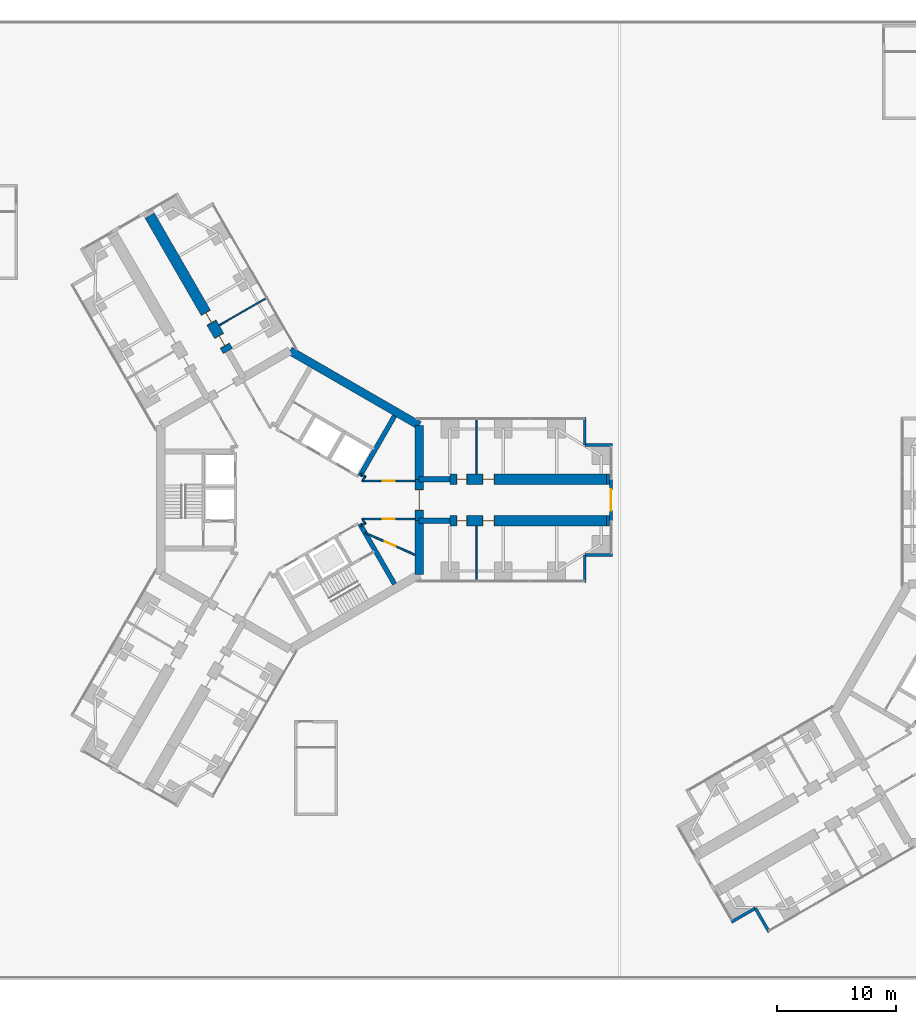
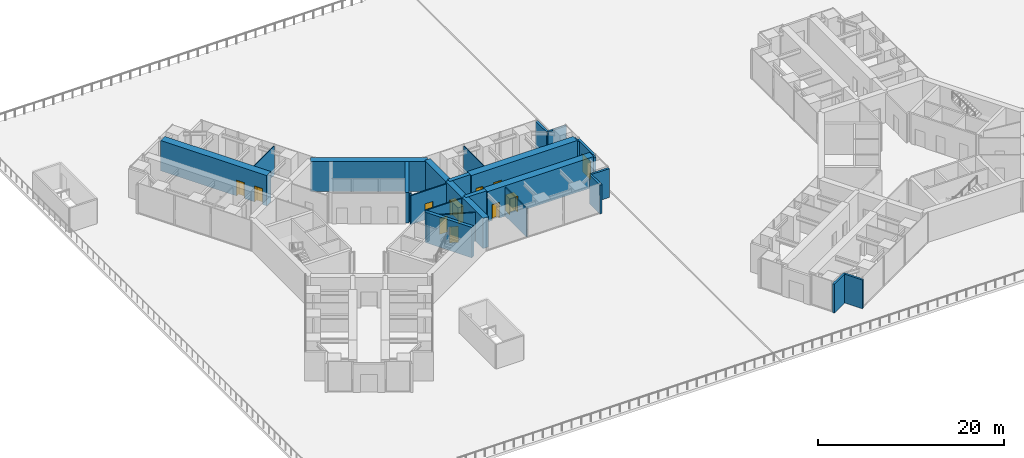
# One storey, part 15 of 23: 30 walls, 11 doors, 11 openings.
"""IFC4 building model written with IfcOpenShell, lengths in metres."""

from ifc_helpers import new_model, si_unit, direction, frame, frame_2d, origin, place, context, subcontext, project, spatial, rectangle, extrude, material, layer, layer_set, type_object, element, fill, save


model = new_model("IFC4")

# Units and contexts
model_context = context("Model", 3, precision=1e-05, world=origin(), true_north=direction((0.0, 1.0)))
body_context = subcontext(model_context, "Body", "Model", "MODEL_VIEW")
ifc_project = project(units=[si_unit("LENGTHUNIT", "METRE"), si_unit("AREAUNIT", "SQUARE_METRE"), si_unit("VOLUMEUNIT", "CUBIC_METRE"), si_unit("PLANEANGLEUNIT", "RADIAN"), si_unit("MASSUNIT", "GRAM", prefix="KILO")], contexts=[model_context])

# Site, building, storey
site_placement = place(None, origin())
site = spatial("IfcSite", under=ifc_project, at=site_placement, CompositionType="ELEMENT")
building_placement = place(site_placement, origin())
building = spatial("IfcBuilding", under=site, at=building_placement, Name="Upepo Twin Towers", CompositionType="ELEMENT")
storey_placement = place(building_placement, frame((0.0, 0.0, 20.5)))
storey = spatial("IfcBuildingStorey", under=building, at=storey_placement, Name="L04", CompositionType="ELEMENT", Elevation=20.5)

# Walls
ifc_material_1 = material(Name="Dense concrete blockwork", Category="masonry")
ifc_layer_1 = layer(ifc_material_1, 0.89990234375)
ifc_layer_set_1 = layer_set([ifc_layer_1], Name="Buttress closer 900, blockwork with fire-stopping to the curtain wall")
wall_type_1 = type_object("IfcWallType", Name="Buttress closer 900, blockwork with fire-stopping to the curtain wall", PredefinedType="PARTITIONING", material=ifc_layer_set_1)
for number, where, z_axis, x_axis, name in (
    (1, (26.699951171875, 1.75, 0.0), (0.0, 0.0, 1.0), (1.0, 0.0, 0.0), "T1 L04 wing A buttress closer L"),
    (2, (26.699951171875, -1.75, 0.0), (0.0, 0.0, 1.0), (1.0, 0.0, 0.0), "T1 L04 wing A buttress closer R"),
):
    element("IfcWall", number, at=place(storey_placement, frame(where, z_axis=z_axis, x_axis=x_axis)), inside=storey, type_object=wall_type_1, Name=name, PredefinedType="PARTITIONING", context=body_context, shape_type="SweptSolid", body=[
        extrude(rectangle(XDim=0.275146484375, YDim=0.89990234375, at=frame_2d((0.1376953125, 0.0))), origin(), (0.0, 0.0, 1.0), 3.800048828125),
    ])
ifc_material_2 = material(Name="Concrete C60/75", Category="concrete")
ifc_layer_2 = layer(ifc_material_2, 0.5)
ifc_layer_set_2 = layer_set([ifc_layer_2], Name="Concrete C60/75")
wall_type_2 = type_object("IfcWallType", Name="Buttress wall 500 RC", PredefinedType="SHEAR", material=ifc_layer_set_2)
for number, where, z_axis, x_axis, name in (
    (3, (10.908447265625, 1.75, 0.0), (0.0, 0.0, 1.0), (1.0, 0.0, 0.0), "T1 wing A buttress wall L"),
    (4, (10.908447265625, -1.75, 0.0), (0.0, 0.0, 1.0), (1.0, 0.0, 0.0), "T1 wing A buttress wall R"),
):
    element("IfcWall", number, at=place(storey_placement, frame(where, z_axis=z_axis, x_axis=x_axis)), inside=storey, type_object=wall_type_2, Name=name, PredefinedType="SHEAR", context=body_context, shape_type="SweptSolid", body=[
        extrude(rectangle(XDim=2.591552734375, YDim=0.5, at=frame_2d((1.2958984375, 0.0))), origin(), (0.0, 0.0, 1.0), 4.0),
    ])

# Wall, openings, doors
ifc_material_3 = material(Name="Concrete C60/75", Category="concrete")
ifc_layer_3 = layer(ifc_material_3, 0.89990234375)
ifc_layer_set_3 = layer_set([ifc_layer_3], Name="Concrete C60/75")
wall_type_3 = type_object("IfcWallType", Name="Buttress wall 900 RC", PredefinedType="SHEAR", material=ifc_layer_set_3)
wall_1_placement = place(storey_placement, frame((13.5, 1.75, 0.0), z_axis=(0.0, 0.0, 1.0), x_axis=(1.0, 0.0, 0.0)))
wall_1 = element("IfcWall", 5, at=wall_1_placement, inside=storey, type_object=wall_type_3, Name="T1 wing A buttress wall L part 2", PredefinedType="SHEAR", context=body_context, shape_type="SweptSolid", body=[
    extrude(rectangle(XDim=13.199951171875, YDim=0.89990234375, at=frame_2d((6.60009765625, 0.0))), origin(), (0.0, 0.0, 1.0), 4.0),
])
opening_1_placement = place(wall_1_placement, frame((0.550048828125, 0.0, 0.0)))
opening_1 = element("IfcOpeningElement", 6, at=opening_1_placement, cuts=wall_1, Name="Opening D11", PredefinedType="OPENING", context=body_context, shape_type="SweptSolid", body=[
    extrude(rectangle(XDim=0.89990234375, YDim=2.10009765625, at=frame_2d((0.449951171875, 1.050048828125))), frame((0.0, 0.4599609375, 0.0), z_axis=(0.0, -1.0, 0.0), x_axis=(1.0, 0.0, 0.0)), (0.0, 0.0, 1.0), 0.919921875),
])
opening_2_placement = place(wall_1_placement, frame((2.75, 0.0, 0.0)))
opening_2 = element("IfcOpeningElement", 7, at=opening_2_placement, cuts=wall_1, Name="Opening D15", PredefinedType="OPENING", context=body_context, shape_type="SweptSolid", body=[
    extrude(rectangle(XDim=1.0, YDim=2.10009765625, at=frame_2d((0.5, 1.050048828125))), frame((0.0, 0.4599609375, 0.0), z_axis=(0.0, -1.0, 0.0), x_axis=(1.0, 0.0, 0.0)), (0.0, 0.0, 1.0), 0.919921875),
])
ifc_material_4 = material(Name="Timber doorset", Category="wood")
door_type_1 = type_object("IfcDoorType", Name="Glazed door 1000 FD30", OperationType="SINGLE_SWING_LEFT", PredefinedType="DOOR", material=ifc_material_4)
door_1_placement = place(opening_2_placement, origin())
door_1 = element("IfcDoor", 8, at=door_1_placement, inside=storey, type_object=door_type_1, Name="T1 L04 student sky lounge door", OperationType="SINGLE_SWING_LEFT", OverallHeight=2.10009765625, OverallWidth=1.0, PredefinedType="DOOR", context=body_context, shape_type="SweptSolid", body=[
    extrude(rectangle(XDim=0.92, YDim=2.06009765625, at=frame_2d((0.5, 1.030029296875))), frame((0.0, 0.02490234375, 0.0), z_axis=(0.0, -1.0, 0.0), x_axis=(1.0, 0.0, 0.0)), (0.0, 0.0, 1.0), 0.050048828125),
    extrude(rectangle(XDim=0.04, YDim=2.10009765625, at=frame_2d((0.02001953125, 1.050048828125))), frame((0.0, 0.44970703125, 0.0), z_axis=(0.0, -1.0, 0.0), x_axis=(1.0, 0.0, 0.0)), (0.0, 0.0, 1.0), 0.8994140625),
    extrude(rectangle(XDim=0.04, YDim=2.10009765625, at=frame_2d((0.97998046875, 1.050048828125))), frame((0.0, 0.44970703125, 0.0), z_axis=(0.0, -1.0, 0.0), x_axis=(1.0, 0.0, 0.0)), (0.0, 0.0, 1.0), 0.8994140625),
    extrude(rectangle(XDim=0.92, YDim=0.04, at=frame_2d((0.5, 2.080078125))), frame((0.0, 0.44970703125, 0.0), z_axis=(0.0, -1.0, 0.0), x_axis=(1.0, 0.0, 0.0)), (0.0, 0.0, 1.0), 0.8994140625),
])
fill(opening_2, door_1)
ifc_material_5 = material(Name="Timber doorset", Category="wood")
door_type_2 = type_object("IfcDoorType", Name="Toilet door 900", OperationType="SINGLE_SWING_LEFT", PredefinedType="DOOR", material=ifc_material_5)
door_2_placement = place(opening_1_placement, origin())
door_2 = element("IfcDoor", 9, at=door_2_placement, inside=storey, type_object=door_type_2, Name="T1 L04 toilets door", OperationType="SINGLE_SWING_LEFT", OverallHeight=2.10009765625, OverallWidth=0.89990234375, PredefinedType="DOOR", context=body_context, shape_type="SweptSolid", body=[
    extrude(rectangle(XDim=0.81990234375, YDim=2.06009765625, at=frame_2d((0.449951171875, 1.030029296875))), frame((0.0, 0.02490234375, 0.0), z_axis=(0.0, -1.0, 0.0), x_axis=(1.0, 0.0, 0.0)), (0.0, 0.0, 1.0), 0.050048828125),
    extrude(rectangle(XDim=0.04, YDim=2.10009765625, at=frame_2d((0.02001953125, 1.050048828125))), frame((0.0, 0.44970703125, 0.0), z_axis=(0.0, -1.0, 0.0), x_axis=(1.0, 0.0, 0.0)), (0.0, 0.0, 1.0), 0.8994140625),
    extrude(rectangle(XDim=0.04, YDim=2.10009765625, at=frame_2d((0.8798828125, 1.050048828125))), frame((0.0, 0.44970703125, 0.0), z_axis=(0.0, -1.0, 0.0), x_axis=(1.0, 0.0, 0.0)), (0.0, 0.0, 1.0), 0.8994140625),
    extrude(rectangle(XDim=0.81990234375, YDim=0.04, at=frame_2d((0.449951171875, 2.080078125))), frame((0.0, 0.44970703125, 0.0), z_axis=(0.0, -1.0, 0.0), x_axis=(1.0, 0.0, 0.0)), (0.0, 0.0, 1.0), 0.8994140625),
])
fill(opening_1, door_2)

wall_2_placement = place(storey_placement, frame((13.5, -1.75, 0.0), z_axis=(0.0, 0.0, 1.0), x_axis=(1.0, 0.0, 0.0)))
wall_2 = element("IfcWall", 10, at=wall_2_placement, inside=storey, type_object=wall_type_3, Name="T1 wing A buttress wall R part 2", PredefinedType="SHEAR", context=body_context, shape_type="SweptSolid", body=[
    extrude(rectangle(XDim=13.199951171875, YDim=0.89990234375, at=frame_2d((6.60009765625, 0.0))), origin(), (0.0, 0.0, 1.0), 4.0),
])
opening_3_placement = place(wall_2_placement, frame((0.550048828125, 0.0, 0.0)))
opening_3 = element("IfcOpeningElement", 11, at=opening_3_placement, cuts=wall_2, Name="Opening D11", PredefinedType="OPENING", context=body_context, shape_type="SweptSolid", body=[
    extrude(rectangle(XDim=0.89990234375, YDim=2.10009765625, at=frame_2d((0.449951171875, 1.050048828125))), frame((0.0, 0.4599609375, 0.0), z_axis=(0.0, -1.0, 0.0), x_axis=(1.0, 0.0, 0.0)), (0.0, 0.0, 1.0), 0.919921875),
])
opening_4_placement = place(wall_2_placement, frame((2.75, 0.0, 0.0)))
opening_4 = element("IfcOpeningElement", 12, at=opening_4_placement, cuts=wall_2, Name="Opening D15", PredefinedType="OPENING", context=body_context, shape_type="SweptSolid", body=[
    extrude(rectangle(XDim=1.0, YDim=2.10009765625, at=frame_2d((0.5, 1.050048828125))), frame((0.0, 0.4599609375, 0.0), z_axis=(0.0, -1.0, 0.0), x_axis=(1.0, 0.0, 0.0)), (0.0, 0.0, 1.0), 0.919921875),
])
door_3_placement = place(opening_4_placement, origin())
door_3 = element("IfcDoor", 13, at=door_3_placement, inside=storey, type_object=door_type_1, Name="T1 L04 student sky lounge door", OperationType="SINGLE_SWING_LEFT", OverallHeight=2.10009765625, OverallWidth=1.0, PredefinedType="DOOR", context=body_context, shape_type="SweptSolid", body=[
    extrude(rectangle(XDim=0.92, YDim=2.06009765625, at=frame_2d((0.5, 1.030029296875))), frame((0.0, 0.02490234375, 0.0), z_axis=(0.0, -1.0, 0.0), x_axis=(1.0, 0.0, 0.0)), (0.0, 0.0, 1.0), 0.050048828125),
    extrude(rectangle(XDim=0.04, YDim=2.10009765625, at=frame_2d((0.02001953125, 1.050048828125))), frame((0.0, 0.44970703125, 0.0), z_axis=(0.0, -1.0, 0.0), x_axis=(1.0, 0.0, 0.0)), (0.0, 0.0, 1.0), 0.8994140625),
    extrude(rectangle(XDim=0.04, YDim=2.10009765625, at=frame_2d((0.97998046875, 1.050048828125))), frame((0.0, 0.44970703125, 0.0), z_axis=(0.0, -1.0, 0.0), x_axis=(1.0, 0.0, 0.0)), (0.0, 0.0, 1.0), 0.8994140625),
    extrude(rectangle(XDim=0.92, YDim=0.04, at=frame_2d((0.5, 2.080078125))), frame((0.0, 0.44970703125, 0.0), z_axis=(0.0, -1.0, 0.0), x_axis=(1.0, 0.0, 0.0)), (0.0, 0.0, 1.0), 0.8994140625),
])
fill(opening_4, door_3)
door_4_placement = place(opening_3_placement, origin())
door_4 = element("IfcDoor", 14, at=door_4_placement, inside=storey, type_object=door_type_2, Name="T1 L04 accessible wc door", OperationType="SINGLE_SWING_LEFT", OverallHeight=2.10009765625, OverallWidth=0.89990234375, PredefinedType="DOOR", context=body_context, shape_type="SweptSolid", body=[
    extrude(rectangle(XDim=0.81990234375, YDim=2.06009765625, at=frame_2d((0.449951171875, 1.030029296875))), frame((0.0, 0.02490234375, 0.0), z_axis=(0.0, -1.0, 0.0), x_axis=(1.0, 0.0, 0.0)), (0.0, 0.0, 1.0), 0.050048828125),
    extrude(rectangle(XDim=0.04, YDim=2.10009765625, at=frame_2d((0.02001953125, 1.050048828125))), frame((0.0, 0.44970703125, 0.0), z_axis=(0.0, -1.0, 0.0), x_axis=(1.0, 0.0, 0.0)), (0.0, 0.0, 1.0), 0.8994140625),
    extrude(rectangle(XDim=0.04, YDim=2.10009765625, at=frame_2d((0.8798828125, 1.050048828125))), frame((0.0, 0.44970703125, 0.0), z_axis=(0.0, -1.0, 0.0), x_axis=(1.0, 0.0, 0.0)), (0.0, 0.0, 1.0), 0.8994140625),
    extrude(rectangle(XDim=0.81990234375, YDim=0.04, at=frame_2d((0.449951171875, 2.080078125))), frame((0.0, 0.44970703125, 0.0), z_axis=(0.0, -1.0, 0.0), x_axis=(1.0, 0.0, 0.0)), (0.0, 0.0, 1.0), 0.8994140625),
])
fill(opening_3, door_4)

wall_3_placement = place(storey_placement, frame((-5.234375, 12.56640625, 0.0), z_axis=(0.0, 0.0, 1.0), x_axis=(-0.500010103361, 0.866019570528, 0.0)))
wall_3 = element("IfcWall", 15, at=wall_3_placement, inside=storey, type_object=wall_type_3, Name="T1 wing B buttress wall R part 2", PredefinedType="SHEAR", context=body_context, shape_type="SweptSolid", body=[
    extrude(rectangle(XDim=13.199951171875, YDim=0.89990234375, at=frame_2d((6.60009765625, 0.0))), origin(), (0.0, 0.0, 1.0), 4.0),
])
opening_5_placement = place(wall_3_placement, frame((0.5, 0.0, 0.0)))
opening_5 = element("IfcOpeningElement", 16, at=opening_5_placement, cuts=wall_3, Name="Opening D15", PredefinedType="OPENING", context=body_context, shape_type="SweptSolid", body=[
    extrude(rectangle(XDim=1.0, YDim=2.10009765625, at=frame_2d((0.5, 1.050048828125))), frame((0.0, 0.4599609375, 0.0), z_axis=(0.0, -1.0, 0.0), x_axis=(1.0, 0.0, 0.0)), (0.0, 0.0, 1.0), 0.919921875),
])
opening_6_placement = place(wall_3_placement, frame((2.75, 0.0, 0.0)))
opening_6 = element("IfcOpeningElement", 17, at=opening_6_placement, cuts=wall_3, Name="Opening D15", PredefinedType="OPENING", context=body_context, shape_type="SweptSolid", body=[
    extrude(rectangle(XDim=1.0, YDim=2.10009765625, at=frame_2d((0.5, 1.050048828125))), frame((0.0, 0.4599609375, 0.0), z_axis=(0.0, -1.0, 0.0), x_axis=(1.0, 0.0, 0.0)), (0.0, 0.0, 1.0), 0.919921875),
])
door_5_placement = place(opening_5_placement, origin())
door_5 = element("IfcDoor", 18, at=door_5_placement, inside=storey, type_object=door_type_1, Name="T1 L04 seminar room door", OperationType="SINGLE_SWING_LEFT", OverallHeight=2.10009765625, OverallWidth=1.0, PredefinedType="DOOR", context=body_context, shape_type="SweptSolid", body=[
    extrude(rectangle(XDim=0.92, YDim=2.06009765625, at=frame_2d((0.5, 1.030029296875))), frame((0.0, 0.02490234375, 0.0), z_axis=(0.0, -1.0, 0.0), x_axis=(1.0, 0.0, 0.0)), (0.0, 0.0, 1.0), 0.050048828125),
    extrude(rectangle(XDim=0.04, YDim=2.10009765625, at=frame_2d((0.02001953125, 1.050048828125))), frame((0.0, 0.44970703125, 0.0), z_axis=(0.0, -1.0, 0.0), x_axis=(1.0, 0.0, 0.0)), (0.0, 0.0, 1.0), 0.8994140625),
    extrude(rectangle(XDim=0.04, YDim=2.10009765625, at=frame_2d((0.97998046875, 1.050048828125))), frame((0.0, 0.44970703125, 0.0), z_axis=(0.0, -1.0, 0.0), x_axis=(1.0, 0.0, 0.0)), (0.0, 0.0, 1.0), 0.8994140625),
    extrude(rectangle(XDim=0.92, YDim=0.04, at=frame_2d((0.5, 2.080078125))), frame((0.0, 0.44970703125, 0.0), z_axis=(0.0, -1.0, 0.0), x_axis=(1.0, 0.0, 0.0)), (0.0, 0.0, 1.0), 0.8994140625),
])
fill(opening_5, door_5)
door_6_placement = place(opening_6_placement, origin())
door_6 = element("IfcDoor", 19, at=door_6_placement, inside=storey, type_object=door_type_1, Name="T1 L04 student sky lounge door", OperationType="SINGLE_SWING_LEFT", OverallHeight=2.10009765625, OverallWidth=1.0, PredefinedType="DOOR", context=body_context, shape_type="SweptSolid", body=[
    extrude(rectangle(XDim=0.92, YDim=2.06009765625, at=frame_2d((0.5, 1.030029296875))), frame((0.0, 0.02490234375, 0.0), z_axis=(0.0, -1.0, 0.0), x_axis=(1.0, 0.0, 0.0)), (0.0, 0.0, 1.0), 0.050048828125),
    extrude(rectangle(XDim=0.04, YDim=2.10009765625, at=frame_2d((0.02001953125, 1.050048828125))), frame((0.0, 0.44970703125, 0.0), z_axis=(0.0, -1.0, 0.0), x_axis=(1.0, 0.0, 0.0)), (0.0, 0.0, 1.0), 0.8994140625),
    extrude(rectangle(XDim=0.04, YDim=2.10009765625, at=frame_2d((0.97998046875, 1.050048828125))), frame((0.0, 0.44970703125, 0.0), z_axis=(0.0, -1.0, 0.0), x_axis=(1.0, 0.0, 0.0)), (0.0, 0.0, 1.0), 0.8994140625),
    extrude(rectangle(XDim=0.92, YDim=0.04, at=frame_2d((0.5, 2.080078125))), frame((0.0, 0.44970703125, 0.0), z_axis=(0.0, -1.0, 0.0), x_axis=(1.0, 0.0, 0.0)), (0.0, 0.0, 1.0), 0.8994140625),
])
fill(opening_6, door_6)

# Wall
ifc_material_6 = material(Name="Concrete C60/75", Category="concrete")
ifc_layer_4 = layer(ifc_material_6, 0.699951171875)
ifc_layer_set_4 = layer_set([ifc_layer_4], Name="Concrete C60/75")
wall_type_4 = type_object("IfcWallType", Name="Core wall 700 RC", PredefinedType="SHEAR", material=ifc_layer_set_4)
wall_4_placement = place(storey_placement, frame((10.908447265625, -6.2978515625, 0.0), z_axis=(0.0, 0.0, 1.0), x_axis=(0.0, 1.0, 0.0)))
element("IfcWall", 20, at=wall_4_placement, inside=storey, type_object=wall_type_4, Name="T1 core wall 000 R", PredefinedType="SHEAR", context=body_context, shape_type="SweptSolid", body=[
    extrude(rectangle(XDim=4.5478515625, YDim=0.699951171875, at=frame_2d((2.27392578125, 0.0))), origin(), (0.0, 0.0, 1.0), 4.0),
])

# Wall, opening, door
wall_5_placement = place(storey_placement, frame((10.908447265625, -1.75, 0.0), z_axis=(0.0, 0.0, 1.0), x_axis=(0.0, 1.0, 0.0)))
wall_5 = element("IfcWall", 21, at=wall_5_placement, inside=storey, type_object=wall_type_4, Name="T1 core wall 000", PredefinedType="SHEAR", context=body_context, shape_type="SweptSolid", body=[
    extrude(rectangle(XDim=3.5, YDim=0.699951171875, at=frame_2d((1.75, 0.0))), origin(), (0.0, 0.0, 1.0), 4.0),
])
opening_7_placement = place(wall_5_placement, frame((0.85009765625, 0.0, 0.0)))
opening_7 = element("IfcOpeningElement", 22, at=opening_7_placement, cuts=wall_5, Name="Opening D2", PredefinedType="OPENING", context=body_context, shape_type="SweptSolid", body=[
    extrude(rectangle(XDim=1.800048828125, YDim=2.10009765625, at=frame_2d((0.89990234375, 1.050048828125))), frame((0.0, 0.35986328125, 0.0), z_axis=(0.0, -1.0, 0.0), x_axis=(1.0, 0.0, 0.0)), (0.0, 0.0, 1.0), 0.719970703125),
])
ifc_material_7 = material(Name="Timber doorset", Category="wood")
door_type_3 = type_object("IfcDoorType", Name="Corridor double door 1800 FD60", OperationType="DOUBLE_DOOR_DOUBLE_SWING", PredefinedType="DOOR", material=ifc_material_7)
door_7_placement = place(opening_7_placement, origin())
door_7 = element("IfcDoor", 23, at=door_7_placement, inside=storey, type_object=door_type_3, Name="T1 L04 wing A corridor door", OperationType="DOUBLE_DOOR_DOUBLE_SWING", OverallHeight=2.10009765625, OverallWidth=1.800048828125, PredefinedType="DOOR", context=body_context, shape_type="SweptSolid", body=[
    extrude(rectangle(XDim=1.720048828125, YDim=2.06009765625, at=frame_2d((0.89990234375, 1.030029296875))), frame((0.0, 0.02490234375, 0.0), z_axis=(0.0, -1.0, 0.0), x_axis=(1.0, 0.0, 0.0)), (0.0, 0.0, 1.0), 0.050048828125),
    extrude(rectangle(XDim=0.04, YDim=2.10009765625, at=frame_2d((0.02001953125, 1.050048828125))), frame((0.0, 0.349609375, 0.0), z_axis=(0.0, -1.0, 0.0), x_axis=(1.0, 0.0, 0.0)), (0.0, 0.0, 1.0), 0.699462890625),
    extrude(rectangle(XDim=0.04, YDim=2.10009765625, at=frame_2d((1.780029296875, 1.050048828125))), frame((0.0, 0.349609375, 0.0), z_axis=(0.0, -1.0, 0.0), x_axis=(1.0, 0.0, 0.0)), (0.0, 0.0, 1.0), 0.699462890625),
    extrude(rectangle(XDim=1.720048828125, YDim=0.04, at=frame_2d((0.89990234375, 2.080078125))), frame((0.0, 0.349609375, 0.0), z_axis=(0.0, -1.0, 0.0), x_axis=(1.0, 0.0, 0.0)), (0.0, 0.0, 1.0), 0.699462890625),
])
fill(opening_7, door_7)

# Walls
wall_6_placement = place(storey_placement, frame((10.908447265625, 1.75, 0.0), z_axis=(0.0, 0.0, 1.0), x_axis=(0.0, 1.0, 0.0)))
element("IfcWall", 24, at=wall_6_placement, inside=storey, type_object=wall_type_4, Name="T1 core wall 000 L", PredefinedType="SHEAR", context=body_context, shape_type="SweptSolid", body=[
    extrude(rectangle(XDim=4.5478515625, YDim=0.699951171875, at=frame_2d((2.27392578125, 0.0))), origin(), (0.0, 0.0, 1.0), 4.0),
])
wall_7_placement = place(storey_placement, frame((10.908447265625, 6.2978515625, 0.0), z_axis=(0.0, 0.0, 1.0), x_axis=(-0.866021940709, 0.500005998175, 0.0)))
element("IfcWall", 25, at=wall_7_placement, inside=storey, type_object=wall_type_4, Name="T1 core wall 060", PredefinedType="SHEAR", context=body_context, shape_type="SweptSolid", body=[
    extrude(rectangle(XDim=12.595947265625, YDim=0.699951171875, at=frame_2d((6.2978515625, 0.0))), origin(), (0.0, 0.0, 1.0), 4.0),
])
ifc_material_8 = material(Name="Laminated glass in an aluminium frame", Category="aluminium")
ifc_layer_5 = layer(ifc_material_8, 0.1201171875)
ifc_layer_set_5 = layer_set([ifc_layer_5], Name="Glazed partition 120, aluminium framed")
wall_type_5 = type_object("IfcWallType", Name="Glazed partition 120, aluminium framed", PredefinedType="PARTITIONING", material=ifc_layer_set_5)
for number, where, z_axis, x_axis, name in (
    (26, (15.75, 2.199951171875, 0.0), (0.0, 0.0, 1.0), (0.0, 1.0, 0.0), "T1 partition AL at 15.75"),
    (27, (15.75, -2.199951171875, 0.0), (0.0, 0.0, 1.0), (0.0, -1.0, 0.0), "T1 partition AR at 15.75"),
    (28, (-5.9697265625, 14.739990234375, 0.0), (0.0, 0.0, 1.0), (0.866035472144, 0.499982560684, 0.0), "T1 partition BR at 15.75"),
):
    element("IfcWall", number, at=place(storey_placement, frame(where, z_axis=z_axis, x_axis=x_axis)), inside=storey, type_object=wall_type_5, Name=name, PredefinedType="PARTITIONING", context=body_context, shape_type="SweptSolid", body=[
        extrude(rectangle(XDim=4.550048828125, YDim=0.1201171875, at=frame_2d((2.27490234375, 0.0))), origin(), (0.0, 0.0, 1.0), 3.800048828125),
    ])
ifc_material_9 = material(Name="Blockwork with anodised aluminium cladding", Category="masonry")
ifc_layer_6 = layer(ifc_material_9, 0.25)
ifc_layer_set_6 = layer_set([ifc_layer_6], Name="Notch cladding wall 250, pale metal")
wall_type_6 = type_object("IfcWallType", Name="Notch cladding wall 250, pale metal", PredefinedType="STANDARD", material=ifc_layer_set_6)
for number, where, z_axis, x_axis, name in (
    (29, (24.875, 6.949951171875, 0.0), (0.0, 0.0, 1.0), (0.0, -1.0, 0.0), "T1 L04 wing A notch wall L1"),
    (30, (24.875, 4.625, 0.0), (0.0, 0.0, 1.0), (1.0, 0.0, 0.0), "T1 L04 wing A notch wall L2"),
    (31, (24.875, -6.949951171875, 0.0), (0.0, 0.0, 1.0), (0.0, 1.0, 0.0), "T1 L04 wing A notch wall R1"),
    (32, (24.875, -4.625, 0.0), (0.0, 0.0, 1.0), (1.0, 0.0, 0.0), "T1 L04 wing A notch wall R2"),
):
    element("IfcWall", number, at=place(storey_placement, frame(where, z_axis=z_axis, x_axis=x_axis)), inside=storey, type_object=wall_type_6, Name=name, PredefinedType="STANDARD", context=body_context, shape_type="SweptSolid", body=[
        extrude(rectangle(XDim=2.324951171875, YDim=0.25, at=frame_2d((1.16259765625, 0.0))), origin(), (0.0, 0.0, 1.0), 3.800048828125),
    ])

# Wall, opening, door
wall_8_placement = place(storey_placement, frame((27.10009765625, -1.75, 0.0), z_axis=(0.0, 0.0, 1.0), x_axis=(0.0, 1.0, 0.0)))
wall_8 = element("IfcWall", 33, at=wall_8_placement, inside=storey, type_object=wall_type_6, Name="T1 L04 wing A nose wall", PredefinedType="STANDARD", context=body_context, shape_type="SweptSolid", body=[
    extrude(rectangle(XDim=3.5, YDim=0.25, at=frame_2d((1.75, 0.0))), origin(), (0.0, 0.0, 1.0), 3.800048828125),
])
opening_8_placement = place(wall_8_placement, frame((0.85009765625, 0.0, 0.0)))
opening_8 = element("IfcOpeningElement", 34, at=opening_8_placement, cuts=wall_8, Name="Opening D5", PredefinedType="OPENING", context=body_context, shape_type="SweptSolid", body=[
    extrude(rectangle(XDim=1.800048828125, YDim=2.39990234375, at=frame_2d((0.89990234375, 1.199951171875))), frame((0.0, 0.135009765625, 0.0), z_axis=(0.0, -1.0, 0.0), x_axis=(1.0, 0.0, 0.0)), (0.0, 0.0, 1.0), 0.27001953125),
])
ifc_material_10 = material(Name="Aluminium glazed doorset", Category="aluminium")
door_type_4 = type_object("IfcDoorType", Name="Terrace door 1800 glazed", OperationType="DOUBLE_DOOR_DOUBLE_SWING", PredefinedType="DOOR", material=ifc_material_10)
door_8_placement = place(opening_8_placement, origin())
door_8 = element("IfcDoor", 35, at=door_8_placement, inside=storey, type_object=door_type_4, Name="T1 L04 wing A terrace door", OperationType="DOUBLE_DOOR_DOUBLE_SWING", OverallHeight=2.39990234375, OverallWidth=1.800048828125, PredefinedType="DOOR", context=body_context, shape_type="SweptSolid", body=[
    extrude(rectangle(XDim=1.800048828125, YDim=2.39990234375, at=frame_2d((0.89990234375, 1.199951171875))), frame((0.0, 0.02490234375, 0.0), z_axis=(0.0, -1.0, 0.0), x_axis=(1.0, 0.0, 0.0)), (0.0, 0.0, 1.0), 0.050048828125),
])
fill(opening_8, door_8)

# Walls
for number, where, z_axis, x_axis, name in (
    (36, (40.4326171875, -36.456298828125, 0.0), (0.0, 0.0, 1.0), (-0.500046648681, 0.865998469481, 0.0), "T2 L04 wing B notch wall L1"),
    (37, (39.27001953125, -34.44287109375, 0.0), (0.0, 0.0, 1.0), (-0.865998469481, -0.500046648681, 0.0), "T2 L04 wing B notch wall L2"),
):
    element("IfcWall", number, at=place(storey_placement, frame(where, z_axis=z_axis, x_axis=x_axis)), inside=storey, type_object=wall_type_6, Name=name, PredefinedType="STANDARD", context=body_context, shape_type="SweptSolid", body=[
        extrude(rectangle(XDim=2.324951171875, YDim=0.25, at=frame_2d((1.16259765625, 0.0))), origin(), (0.0, 0.0, 1.0), 3.800048828125),
    ])
ifc_material_11 = material(Name="Concrete C40/50", Category="concrete")
ifc_layer_7 = layer(ifc_material_11, 0.39990234375)
ifc_layer_set_7 = layer_set([ifc_layer_7], Name="Concrete C40/50")
wall_type_7 = type_object("IfcWallType", Name="Shaft wall 400 RC", PredefinedType="SHEAR", material=ifc_layer_set_7)
for number, where, z_axis, x_axis, name in (
    (38, (5.900634765625, 2.020263671875, 0.0), (0.0, 0.0, 1.0), (0.500002627198, 0.866023886965, 0.0), "T1 core W60 side wall S"),
    (39, (5.900634765625, -2.020263671875, 0.0), (0.0, 0.0, 1.0), (0.500002627198, -0.866023886965, 0.0), "T1 core W300 side wall N"),
):
    element("IfcWall", number, at=place(storey_placement, frame(where, z_axis=z_axis, x_axis=x_axis)), inside=storey, type_object=wall_type_7, Name=name, PredefinedType="SHEAR", context=body_context, shape_type="SweptSolid", body=[
        extrude(rectangle(XDim=5.8583984375, YDim=0.39990234375, at=frame_2d((2.92919921875, 0.0))), origin(), (0.0, 0.0, 1.0), 4.0),
    ])
ifc_material_12 = material(Name="Gypsum board on steel studs", Category="steel")
ifc_layer_8 = layer(ifc_material_12, 0.14990234375)
ifc_layer_set_8 = layer_set([ifc_layer_8], Name="Teaching partition 150 acoustic")
wall_type_8 = type_object("IfcWallType", Name="Teaching partition 150 acoustic", PredefinedType="PARTITIONING", material=ifc_layer_set_8)
for number, where, z_axis, x_axis, name in (
    (40, (6.364501953125, -1.9833984375, 0.0), (0.0, 0.0, 1.0), (-0.865892400268, -0.500230298122, 0.0), "T1 core room partition 1"),
    (41, (5.9921875, 2.198486328125, 0.0), (0.0, 0.0, 1.0), (0.865892400268, -0.500230298122, 0.0), "T1 core room partition 14"),
):
    element("IfcWall", number, at=place(storey_placement, frame(where, z_axis=z_axis, x_axis=x_axis)), inside=storey, type_object=wall_type_8, Name=name, PredefinedType="PARTITIONING", context=body_context, shape_type="SweptSolid", body=[
        extrude(rectangle(XDim=0.429931640625, YDim=0.14990234375, at=frame_2d((0.21484375, 0.0))), origin(), (0.0, 0.0, 1.0), 3.800048828125),
    ])
wall_9_placement = place(storey_placement, frame((6.357177734375, 2.0107421875, 0.0), z_axis=(0.0, 0.0, 1.0), x_axis=(-0.50033519877, -0.865831790172, 0.0)))
element("IfcWall", 42, at=wall_9_placement, inside=storey, type_object=wall_type_8, Name="T1 core room partition 15", PredefinedType="PARTITIONING", context=body_context, shape_type="SweptSolid", body=[
    extrude(rectangle(XDim=0.494384765625, YDim=0.14990234375, at=frame_2d((0.2470703125, 0.0))), origin(), (0.0, 0.0, 1.0), 3.800048828125),
])

# Wall, opening, door
wall_10_placement = place(storey_placement, frame((6.099853515625, 1.60009765625, 0.0), z_axis=(0.0, 0.0, 1.0), x_axis=(1.0, 0.0, 0.0)))
wall_10 = element("IfcWall", 43, at=wall_10_placement, inside=storey, type_object=wall_type_8, Name="T1 core room partition 16", PredefinedType="PARTITIONING", context=body_context, shape_type="SweptSolid", body=[
    extrude(rectangle(XDim=4.468505859375, YDim=0.14990234375, at=frame_2d((2.234375, 0.0))), origin(), (0.0, 0.0, 1.0), 3.800048828125),
])
opening_9_placement = place(wall_10_placement, frame((1.744384765625, 0.0, 0.0)))
opening_9 = element("IfcOpeningElement", 44, at=opening_9_placement, cuts=wall_10, Name="Opening D1", PredefinedType="OPENING", context=body_context, shape_type="SweptSolid", body=[
    extrude(rectangle(XDim=1.0, YDim=2.10009765625, at=frame_2d((0.5, 1.050048828125))), frame((0.0, 0.0849609375, 0.0), z_axis=(0.0, -1.0, 0.0), x_axis=(1.0, 0.0, 0.0)), (0.0, 0.0, 1.0), 0.169921875),
])
ifc_material_13 = material(Name="Timber doorset", Category="wood")
door_type_5 = type_object("IfcDoorType", Name="Room door 1000 FD30", OperationType="SINGLE_SWING_LEFT", PredefinedType="DOOR", material=ifc_material_13)
door_9_placement = place(opening_9_placement, origin())
door_9 = element("IfcDoor", 45, at=door_9_placement, inside=storey, type_object=door_type_5, Name="T1 L04 core room door K5", OperationType="SINGLE_SWING_RIGHT", OverallHeight=2.10009765625, OverallWidth=1.0, PredefinedType="DOOR", context=body_context, shape_type="SweptSolid", body=[
    extrude(rectangle(XDim=1.0, YDim=2.10009765625, at=frame_2d((0.5, 1.050048828125))), frame((0.0, 0.02490234375, 0.0), z_axis=(0.0, -1.0, 0.0), x_axis=(1.0, 0.0, 0.0)), (0.0, 0.0, 1.0), 0.050048828125),
])
fill(opening_9, door_9)

wall_11_placement = place(storey_placement, frame((10.568359375, -1.60009765625, 0.0), z_axis=(0.0, 0.0, 1.0), x_axis=(-1.0, 0.0, 0.0)))
wall_11 = element("IfcWall", 46, at=wall_11_placement, inside=storey, type_object=wall_type_8, Name="T1 core room partition 17", PredefinedType="PARTITIONING", context=body_context, shape_type="SweptSolid", body=[
    extrude(rectangle(XDim=4.468505859375, YDim=0.14990234375, at=frame_2d((2.234375, 0.0))), origin(), (0.0, 0.0, 1.0), 3.800048828125),
])
opening_10_placement = place(wall_11_placement, frame((1.72412109375, 0.0, 0.0)))
opening_10 = element("IfcOpeningElement", 47, at=opening_10_placement, cuts=wall_11, Name="Opening D1", PredefinedType="OPENING", context=body_context, shape_type="SweptSolid", body=[
    extrude(rectangle(XDim=1.0, YDim=2.10009765625, at=frame_2d((0.5, 1.050048828125))), frame((0.0, 0.0849609375, 0.0), z_axis=(0.0, -1.0, 0.0), x_axis=(1.0, 0.0, 0.0)), (0.0, 0.0, 1.0), 0.169921875),
])
door_10_placement = place(opening_10_placement, origin())
door_10 = element("IfcDoor", 48, at=door_10_placement, inside=storey, type_object=door_type_5, Name="T1 L04 core room door K3", OperationType="SINGLE_SWING_LEFT", OverallHeight=2.10009765625, OverallWidth=1.0, PredefinedType="DOOR", context=body_context, shape_type="SweptSolid", body=[
    extrude(rectangle(XDim=1.0, YDim=2.10009765625, at=frame_2d((0.5, 1.050048828125))), frame((0.0, 0.02490234375, 0.0), z_axis=(0.0, -1.0, 0.0), x_axis=(1.0, 0.0, 0.0)), (0.0, 0.0, 1.0), 0.050048828125),
])
fill(opening_10, door_10)

# Wall
wall_12_placement = place(storey_placement, frame((6.10986328125, -1.582763671875, 0.0), z_axis=(0.0, 0.0, 1.0), x_axis=(0.50033519877, -0.865831790172, 0.0)))
element("IfcWall", 49, at=wall_12_placement, inside=storey, type_object=wall_type_8, Name="T1 core room partition 18", PredefinedType="PARTITIONING", context=body_context, shape_type="SweptSolid", body=[
    extrude(rectangle(XDim=0.494384765625, YDim=0.14990234375, at=frame_2d((0.2470703125, 0.0))), origin(), (0.0, 0.0, 1.0), 3.800048828125),
])

# Wall, opening, door
wall_13_placement = place(storey_placement, frame((6.337646484375, -2.777099609375, 0.0), z_axis=(0.0, 0.0, 1.0), x_axis=(0.915933456521, -0.40133016735, 0.0)))
wall_13 = element("IfcWall", 50, at=wall_13_placement, inside=storey, type_object=wall_type_8, Name="T1 core room partition 19", PredefinedType="PARTITIONING", context=body_context, shape_type="SweptSolid", body=[
    extrude(rectangle(XDim=4.608154296875, YDim=0.14990234375, at=frame_2d((2.30419921875, 0.0))), origin(), (0.0, 0.0, 1.0), 3.800048828125),
])
opening_11_placement = place(wall_13_placement, frame((1.803955078125, 0.0, 0.0)))
opening_11 = element("IfcOpeningElement", 51, at=opening_11_placement, cuts=wall_13, Name="Opening D1", PredefinedType="OPENING", context=body_context, shape_type="SweptSolid", body=[
    extrude(rectangle(XDim=1.0, YDim=2.10009765625, at=frame_2d((0.5, 1.050048828125))), frame((0.0, 0.0849609375, 0.0), z_axis=(0.0, -1.0, 0.0), x_axis=(1.0, 0.0, 0.0)), (0.0, 0.0, 1.0), 0.169921875),
])
door_11_placement = place(opening_11_placement, origin())
door_11 = element("IfcDoor", 52, at=door_11_placement, inside=storey, type_object=door_type_5, Name="T1 L04 core room door K4", OperationType="SINGLE_SWING_LEFT", OverallHeight=2.10009765625, OverallWidth=1.0, PredefinedType="DOOR", context=body_context, shape_type="SweptSolid", body=[
    extrude(rectangle(XDim=1.0, YDim=2.10009765625, at=frame_2d((0.5, 1.050048828125))), frame((0.0, 0.02490234375, 0.0), z_axis=(0.0, -1.0, 0.0), x_axis=(1.0, 0.0, 0.0)), (0.0, 0.0, 1.0), 0.050048828125),
])
fill(opening_11, door_11)

save(model, "model.ifc")
